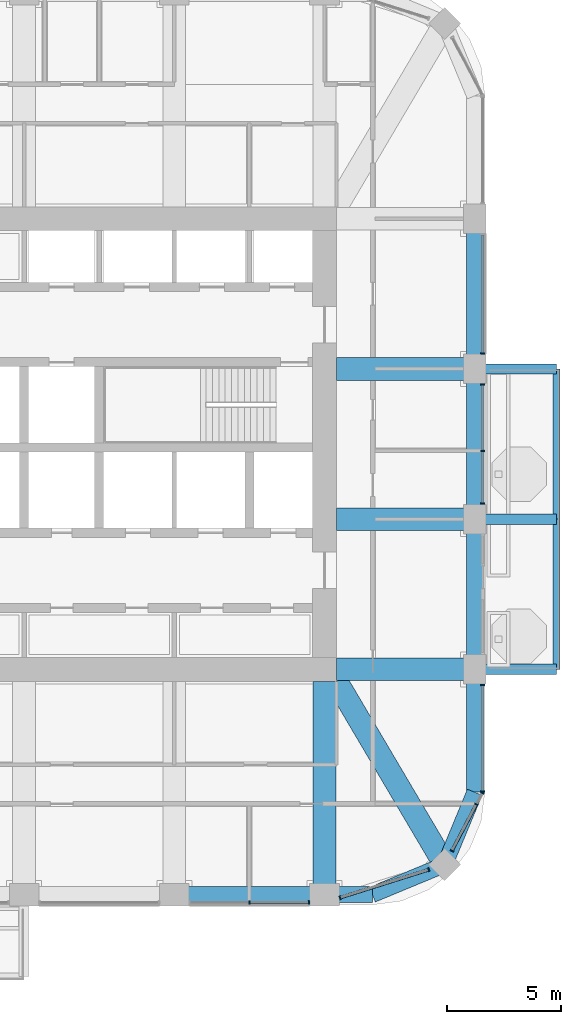
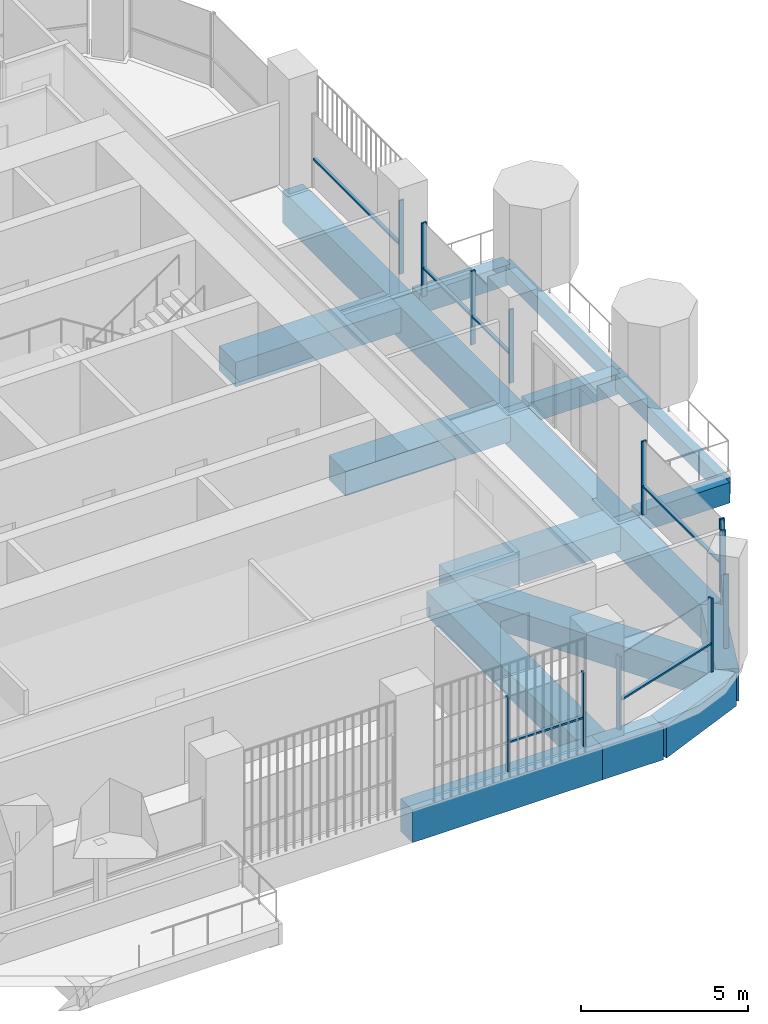
# One storey, part 5 of 20: 20 members, 18 beams, 6 elements without a shape of their own.
"""IFC4 building model written with IfcOpenShell, lengths in metres."""

from ifc_helpers import new_model, si_unit, direction, frame, origin, origin_2d, place, context, subcontext, project, spatial, rectangle, extrude, material, material_profile, profile_set, type_object, element, aggregate, save


model = new_model("IFC4")

# Units and contexts
model_context = context("Model", 3, precision=1e-05, world=origin(), true_north=direction((0.0, 1.0)))
body_context = subcontext(model_context, "Body", "Model", "MODEL_VIEW")
ifc_project = project(units=[si_unit("LENGTHUNIT", "METRE"), si_unit("AREAUNIT", "SQUARE_METRE"), si_unit("VOLUMEUNIT", "CUBIC_METRE"), si_unit("PLANEANGLEUNIT", "RADIAN"), si_unit("MASSUNIT", "GRAM", prefix="KILO")], contexts=[model_context])

# Site, building, storey
site_placement = place(None, origin())
site = spatial("IfcSite", under=ifc_project, at=site_placement, CompositionType="ELEMENT")
building_placement = place(site_placement, origin())
building = spatial("IfcBuilding", under=site, at=building_placement, Name="Cobogo Forest Laboratory Tower", CompositionType="ELEMENT")
storey_placement = place(building_placement, frame((0.0, 0.0, 246.0)))
storey = spatial("IfcBuildingStorey", under=building, at=storey_placement, Name="L56", CompositionType="ELEMENT", Elevation=246.0)

# Beams
ifc_material_1 = material(Name="Concrete HA-40 (C40/50)", Category="concrete")
ifc_material_profile_1 = material_profile(ifc_material_1, rectangle(XDim=0.449951171875, YDim=0.75, at=origin_2d()), Name="RC 450x750")
ifc_profile_set_1 = profile_set([ifc_material_profile_1], Name="Concrete HA-40 (C40/50)")
beam_type_1 = type_object("IfcBeamType", Name="Balcony cantilever beam 450x750", PredefinedType="BEAM", material=ifc_profile_set_1)
for number, where, z_axis, x_axis, name in (
    (1, (46.64990234375, 13.199951171875, -0.625), (1.0, 0.0, 0.0), (0.0, 1.0, 0.0), "CB1 BAL-E1-C1 L56"),
    (2, (46.64990234375, 19.800048828125, -0.625), (1.0, 0.0, 0.0), (0.0, 1.0, 0.0), "CB1 BAL-E1-C2 L56"),
    (3, (46.64990234375, 26.39990234375, -0.625), (1.0, 0.0, 0.0), (0.0, 1.0, 0.0), "CB1 BAL-E1-C3 L56"),
):
    element("IfcBeam", number, at=place(storey_placement, frame(where, z_axis=z_axis, x_axis=x_axis)), inside=storey, type_object=beam_type_1, Name=name, PredefinedType="BEAM", context=body_context, shape_type="SweptSolid", body=[
        extrude(rectangle(XDim=0.449951171875, YDim=0.75, at=origin_2d()), origin(), (0.0, 0.0, 1.0), 3.150146484375),
    ])
ifc_material_profile_2 = material_profile(ifc_material_1, rectangle(XDim=0.300048828125, YDim=0.60009765625, at=origin_2d()), Name="RC 300x600")
ifc_profile_set_2 = profile_set([ifc_material_profile_2], Name="Concrete HA-40 (C40/50)")
beam_type_2 = type_object("IfcBeamType", Name="Balcony edge beam 300x600", PredefinedType="BEAM", material=ifc_profile_set_2)
beam_1_placement = place(storey_placement, frame((49.800048828125, 13.199951171875, -0.550048828125), z_axis=(0.0, 1.0, 0.0), x_axis=(-1.0, 0.0, 0.0)))
element("IfcBeam", 4, at=beam_1_placement, inside=storey, type_object=beam_type_2, Name="BB1 BAL-E1-T1 L56", PredefinedType="BEAM", context=body_context, shape_type="SweptSolid", body=[
    extrude(rectangle(XDim=0.300048828125, YDim=0.60009765625, at=origin_2d()), origin(), (0.0, 0.0, 1.0), 6.60009765625),
])
beam_2_placement = place(storey_placement, frame((49.800048828125, 19.800048828125, -0.550048828125), z_axis=(0.0, 1.0, 0.0), x_axis=(-1.0, 0.0, 0.0)))
element("IfcBeam", 5, at=beam_2_placement, inside=storey, type_object=beam_type_2, Name="BB1 BAL-E1-T2 L56", PredefinedType="BEAM", context=body_context, shape_type="SweptSolid", body=[
    extrude(rectangle(XDim=0.300048828125, YDim=0.60009765625, at=origin_2d()), origin(), (0.0, 0.0, 1.0), 6.599853515625),
])

# Curtain wall, members
ifc_material_2 = material(Name="Aluminium curtain wall", Category="aluminium")
curtain_wall_type = type_object("IfcCurtainWallType", Name="CW-2 unitised curtain wall, solar control glazing, laboratory floors zones C and D", PredefinedType="USERDEFINED", material=ifc_material_2)
curtain_wall_1_placement = place(storey_placement, origin())
curtain_wall_1 = element("IfcCurtainWall", 6, at=curtain_wall_1_placement, inside=storey, type_object=curtain_wall_type, Name="Curtain wall 04 L56", ObjectType="UNITISED CURTAIN WALL", PredefinedType="USERDEFINED")
ifc_material_3 = material(Name="Aluminium mullion", Category="aluminium")
ifc_material_profile_3 = material_profile(ifc_material_3, rectangle(XDim=0.06005859375, YDim=0.159912109375, at=origin_2d()), Name="AL 60x160")
ifc_profile_set_3 = profile_set([ifc_material_profile_3], Name="Aluminium mullion")
member_type_1 = type_object("IfcMemberType", Name="MU-1 aluminium mullion 60x160", PredefinedType="MULLION", material=ifc_profile_set_3)
member_1_placement = place(storey_placement, frame((36.300048828125, 2.949951171875, 0.0), z_axis=(0.0, 0.0, 1.0), x_axis=(1.0, 0.0, 0.0)))
member_1 = element("IfcMember", 7, at=member_1_placement, type_object=member_type_1, Name="CW-2 mullion 2", PredefinedType="MULLION", context=body_context, shape_type="SweptSolid", body=[
    extrude(rectangle(XDim=0.06005859375, YDim=0.159912109375, at=origin_2d()), origin(), (0.0, 0.0, 1.0), 2.699951171875),
])
member_2_placement = place(storey_placement, frame((38.919921875, 2.949951171875, 0.0), z_axis=(0.0, 0.0, 1.0), x_axis=(1.0, 0.0, 0.0)))
member_2 = element("IfcMember", 8, at=member_2_placement, type_object=member_type_1, Name="CW-2 mullion 3", PredefinedType="MULLION", context=body_context, shape_type="SweptSolid", body=[
    extrude(rectangle(XDim=0.06005859375, YDim=0.159912109375, at=origin_2d()), origin(), (0.0, 0.0, 1.0), 2.699951171875),
])

curtain_wall_2_placement = place(storey_placement, origin())
curtain_wall_2 = element("IfcCurtainWall", 9, at=curtain_wall_2_placement, inside=storey, type_object=curtain_wall_type, Name="Curtain wall 05 L56", ObjectType="UNITISED CURTAIN WALL", PredefinedType="USERDEFINED")
member_3_placement = place(storey_placement, frame((40.278564453125, 3.164306640625, 0.0), z_axis=(0.0, 0.0, 1.0), x_axis=(0.953581386052, 0.301135418334, 0.0)))
member_3 = element("IfcMember", 10, at=member_3_placement, type_object=member_type_1, Name="CW-2 mullion 1", PredefinedType="MULLION", context=body_context, shape_type="SweptSolid", body=[
    extrude(rectangle(XDim=0.06005859375, YDim=0.159912109375, at=origin_2d()), origin(), (0.0, 0.0, 1.0), 2.699951171875),
])
member_4_placement = place(storey_placement, frame((44.17626953125, 4.395263671875, 0.0), z_axis=(0.0, 0.0, 1.0), x_axis=(0.953581386052, 0.301135418334, 0.0)))
member_4 = element("IfcMember", 11, at=member_4_placement, type_object=member_type_1, Name="CW-2 mullion 2", PredefinedType="MULLION", context=body_context, shape_type="SweptSolid", body=[
    extrude(rectangle(XDim=0.06005859375, YDim=0.159912109375, at=origin_2d()), origin(), (0.0, 0.0, 1.0), 2.699951171875),
])

curtain_wall_3_placement = place(storey_placement, origin())
curtain_wall_3 = element("IfcCurtainWall", 12, at=curtain_wall_3_placement, inside=storey, type_object=curtain_wall_type, Name="Curtain wall 06 L56", ObjectType="UNITISED CURTAIN WALL", PredefinedType="USERDEFINED")
member_5_placement = place(storey_placement, frame((45.202392578125, 5.229248046875, 0.0), z_axis=(0.0, 0.0, 1.0), x_axis=(0.464283791352, 0.885686491422, 0.0)))
member_5 = element("IfcMember", 13, at=member_5_placement, type_object=member_type_1, Name="CW-2 mullion 1", PredefinedType="MULLION", context=body_context, shape_type="SweptSolid", body=[
    extrude(rectangle(XDim=0.06005859375, YDim=0.159912109375, at=origin_2d()), origin(), (0.0, 0.0, 1.0), 2.699951171875),
])
member_6_placement = place(storey_placement, frame((46.268310546875, 7.262939453125, 0.0), z_axis=(0.0, 0.0, 1.0), x_axis=(0.464283791352, 0.885686491422, 0.0)))
member_6 = element("IfcMember", 14, at=member_6_placement, type_object=member_type_1, Name="CW-2 mullion 2", PredefinedType="MULLION", context=body_context, shape_type="SweptSolid", body=[
    extrude(rectangle(XDim=0.06005859375, YDim=0.159912109375, at=origin_2d()), origin(), (0.0, 0.0, 1.0), 2.699951171875),
])
member_7_placement = place(storey_placement, frame((46.5361328125, 7.7734375, 0.0), z_axis=(0.0, 0.0, 1.0), x_axis=(0.464283791352, 0.885686491422, 0.0)))
member_7 = element("IfcMember", 15, at=member_7_placement, type_object=member_type_1, Name="CW-2 mullion 3", PredefinedType="MULLION", context=body_context, shape_type="SweptSolid", body=[
    extrude(rectangle(XDim=0.06005859375, YDim=0.159912109375, at=origin_2d()), origin(), (0.0, 0.0, 1.0), 2.699951171875),
])

curtain_wall_4_placement = place(storey_placement, origin())
curtain_wall_4 = element("IfcCurtainWall", 16, at=curtain_wall_4_placement, inside=storey, type_object=curtain_wall_type, Name="Curtain wall 07 L56", ObjectType="UNITISED CURTAIN WALL", PredefinedType="USERDEFINED")
member_8_placement = place(storey_placement, frame((46.550048828125, 7.830078125, 0.0), z_axis=(0.0, 0.0, 1.0), x_axis=(0.0, 1.0, 0.0)))
member_8 = element("IfcMember", 17, at=member_8_placement, type_object=member_type_1, Name="CW-2 mullion 1", PredefinedType="MULLION", context=body_context, shape_type="SweptSolid", body=[
    extrude(rectangle(XDim=0.06005859375, YDim=0.159912109375, at=origin_2d()), origin(), (0.0, 0.0, 1.0), 2.699951171875),
])
member_9_placement = place(storey_placement, frame((46.550048828125, 12.52001953125, 0.0), z_axis=(0.0, 0.0, 1.0), x_axis=(0.0, 1.0, 0.0)))
member_9 = element("IfcMember", 18, at=member_9_placement, type_object=member_type_1, Name="CW-2 mullion 2", PredefinedType="MULLION", context=body_context, shape_type="SweptSolid", body=[
    extrude(rectangle(XDim=0.06005859375, YDim=0.159912109375, at=origin_2d()), origin(), (0.0, 0.0, 1.0), 2.699951171875),
])

curtain_wall_5_placement = place(storey_placement, origin())
curtain_wall_5 = element("IfcCurtainWall", 19, at=curtain_wall_5_placement, inside=storey, type_object=curtain_wall_type, Name="Curtain wall 09 L56", ObjectType="UNITISED CURTAIN WALL", PredefinedType="USERDEFINED")
member_10_placement = place(storey_placement, frame((46.550048828125, 20.47998046875, 0.0), z_axis=(0.0, 0.0, 1.0), x_axis=(0.0, 1.0, 0.0)))
member_10 = element("IfcMember", 20, at=member_10_placement, type_object=member_type_1, Name="CW-2 mullion 1", PredefinedType="MULLION", context=body_context, shape_type="SweptSolid", body=[
    extrude(rectangle(XDim=0.06005859375, YDim=0.159912109375, at=origin_2d()), origin(), (0.0, 0.0, 1.0), 2.699951171875),
])
member_11_placement = place(storey_placement, frame((46.550048828125, 22.800048828125, 0.0), z_axis=(0.0, 0.0, 1.0), x_axis=(0.0, 1.0, 0.0)))
member_11 = element("IfcMember", 21, at=member_11_placement, type_object=member_type_1, Name="CW-2 mullion 2", PredefinedType="MULLION", context=body_context, shape_type="SweptSolid", body=[
    extrude(rectangle(XDim=0.06005859375, YDim=0.159912109375, at=origin_2d()), origin(), (0.0, 0.0, 1.0), 2.699951171875),
])
member_12_placement = place(storey_placement, frame((46.550048828125, 25.719970703125, 0.0), z_axis=(0.0, 0.0, 1.0), x_axis=(0.0, 1.0, 0.0)))
member_12 = element("IfcMember", 22, at=member_12_placement, type_object=member_type_1, Name="CW-2 mullion 3", PredefinedType="MULLION", context=body_context, shape_type="SweptSolid", body=[
    extrude(rectangle(XDim=0.06005859375, YDim=0.159912109375, at=origin_2d()), origin(), (0.0, 0.0, 1.0), 2.699951171875),
])

# Curtain wall, member
curtain_wall_6_placement = place(storey_placement, origin())
curtain_wall_6 = element("IfcCurtainWall", 23, at=curtain_wall_6_placement, inside=storey, type_object=curtain_wall_type, Name="Curtain wall 10 L56", ObjectType="UNITISED CURTAIN WALL", PredefinedType="USERDEFINED")
member_13_placement = place(storey_placement, frame((46.550048828125, 27.080078125, 0.0), z_axis=(0.0, 0.0, 1.0), x_axis=(0.0, 1.0, 0.0)))
member_13 = element("IfcMember", 24, at=member_13_placement, type_object=member_type_1, Name="CW-2 mullion 1", PredefinedType="MULLION", context=body_context, shape_type="SweptSolid", body=[
    extrude(rectangle(XDim=0.06005859375, YDim=0.159912109375, at=origin_2d()), origin(), (0.0, 0.0, 1.0), 2.699951171875),
])

# Beams
ifc_material_profile_4 = material_profile(ifc_material_1, rectangle(XDim=1.0, YDim=0.89990234375, at=origin_2d()), Name="RC 1000x900")
ifc_profile_set_4 = profile_set([ifc_material_profile_4], Name="Concrete HA-40 (C40/50)")
beam_type_3 = type_object("IfcBeamType", Name="Office floor wide beam 1000x900", PredefinedType="BEAM", material=ifc_profile_set_4)
beam_3_placement = place(storey_placement, frame((39.60009765625, 12.675048828125, -0.75), z_axis=(0.0, -1.0, 0.0), x_axis=(1.0, 0.0, 0.0)))
element("IfcBeam", 25, at=beam_3_placement, inside=storey, type_object=beam_type_3, Name="RB2 R-7-S L56", PredefinedType="BEAM", context=body_context, shape_type="SweptSolid", body=[
    extrude(rectangle(XDim=1.0, YDim=0.89990234375, at=origin_2d()), origin(), (0.0, 0.0, 1.0), 9.375),
])
for number, where, z_axis, x_axis, name in (
    (26, (40.125, 13.199951171875, -0.75), (1.0, 0.0, 0.0), (0.0, 1.0, 0.0), "RB2 R-C-E L56"),
    (27, (40.125, 19.800048828125, -0.75), (1.0, 0.0, 0.0), (0.0, 1.0, 0.0), "RB2 R-D-E L56"),
    (28, (40.125, 26.39990234375, -0.75), (1.0, 0.0, 0.0), (0.0, 1.0, 0.0), "RB2 R-E-E L56"),
):
    element("IfcBeam", number, at=place(storey_placement, frame(where, z_axis=z_axis, x_axis=x_axis)), inside=storey, type_object=beam_type_3, Name=name, PredefinedType="BEAM", context=body_context, shape_type="SweptSolid", body=[
        extrude(rectangle(XDim=1.0, YDim=0.89990234375, at=origin_2d()), origin(), (0.0, 0.0, 1.0), 6.074951171875),
    ])
beam_4_placement = place(storey_placement, frame((44.882080078125, 4.617919921875, -0.75), z_axis=(-0.508416325908, 0.861111397875, 0.0), x_axis=(-0.861111397875, -0.508416325908, 0.0)))
element("IfcBeam", 29, at=beam_4_placement, inside=storey, type_object=beam_type_3, Name="RB2 G-SE-D1 L56", PredefinedType="BEAM", context=body_context, shape_type="SweptSolid", body=[
    extrude(rectangle(XDim=1.0, YDim=0.89990234375, at=origin_2d()), origin(), (0.0, 0.0, 1.0), 9.356689453125),
])
ifc_material_profile_5 = material_profile(ifc_material_1, rectangle(XDim=0.699951171875, YDim=1.199951171875, at=origin_2d()), Name="RC 700x1200")
ifc_profile_set_5 = profile_set([ifc_material_profile_5], Name="Concrete HA-40 (C40/50)")
beam_type_4 = type_object("IfcBeamType", Name="Perimeter edge beam 700x1200", PredefinedType="BEAM", material=ifc_profile_set_5)
for number, where, z_axis, x_axis, name in (
    (30, (33.0, 3.300048828125, -0.89990234375), (1.0, 0.0, 0.0), (0.0, 1.0, 0.0), "EB1 E-S4 L56"),
    (31, (46.199951171875, 13.199951171875, -0.89990234375), (0.0, 1.0, 0.0), (-1.0, 0.0, 0.0), "EB1 E-E1 L56"),
):
    element("IfcBeam", number, at=place(storey_placement, frame(where, z_axis=z_axis, x_axis=x_axis)), inside=storey, type_object=beam_type_4, Name=name, PredefinedType="BEAM", context=body_context, shape_type="SweptSolid", body=[
        extrude(rectangle(XDim=0.699951171875, YDim=1.199951171875, at=origin_2d()), origin(), (0.0, 0.0, 1.0), 6.60009765625),
    ])
beam_5_placement = place(storey_placement, frame((46.199951171875, 19.800048828125, -0.89990234375), z_axis=(0.0, 1.0, 0.0), x_axis=(-1.0, 0.0, 0.0)))
element("IfcBeam", 32, at=beam_5_placement, inside=storey, type_object=beam_type_4, Name="EB1 E-E2 L56", PredefinedType="BEAM", context=body_context, shape_type="SweptSolid", body=[
    extrude(rectangle(XDim=0.699951171875, YDim=1.199951171875, at=origin_2d()), origin(), (0.0, 0.0, 1.0), 6.599853515625),
])
beam_6_placement = place(storey_placement, frame((46.199951171875, 26.39990234375, -0.89990234375), z_axis=(0.0, 1.0, 0.0), x_axis=(-1.0, 0.0, 0.0)))
element("IfcBeam", 33, at=beam_6_placement, inside=storey, type_object=beam_type_4, Name="EB1 E-E3 L56", PredefinedType="BEAM", context=body_context, shape_type="SweptSolid", body=[
    extrude(rectangle(XDim=0.699951171875, YDim=1.199951171875, at=origin_2d()), origin(), (0.0, 0.0, 1.0), 6.60009765625),
])
beam_7_placement = place(storey_placement, frame((39.60009765625, 3.300048828125, -0.89990234375), z_axis=(1.0, 0.0, 0.0), x_axis=(0.0, 1.0, 0.0)))
element("IfcBeam", 34, at=beam_7_placement, inside=storey, type_object=beam_type_4, Name="EB1 E-SES1 L56", PredefinedType="BEAM", context=body_context, shape_type="SweptSolid", body=[
    extrude(rectangle(XDim=0.699951171875, YDim=1.199951171875, at=origin_2d()), origin(), (0.0, 0.0, 1.0), 2.099853515625),
])
beam_8_placement = place(storey_placement, frame((41.699951171875, 3.300048828125, -0.89990234375), z_axis=(0.923901072997, 0.382631424892, 0.0), x_axis=(-0.382631424892, 0.923901072997, 0.0)))
element("IfcBeam", 35, at=beam_8_placement, inside=storey, type_object=beam_type_4, Name="EB1 E-SES2 L56", PredefinedType="BEAM", context=body_context, shape_type="SweptSolid", body=[
    extrude(rectangle(XDim=0.699951171875, YDim=1.199951171875, at=origin_2d()), origin(), (0.0, 0.0, 1.0), 3.4443359375),
])
beam_9_placement = place(storey_placement, frame((46.199951171875, 13.199951171875, -0.89990234375), z_axis=(0.0, -1.0, 0.0), x_axis=(1.0, 0.0, 0.0)))
element("IfcBeam", 36, at=beam_9_placement, inside=storey, type_object=beam_type_4, Name="EB1 E-SEE1 L56", PredefinedType="BEAM", context=body_context, shape_type="SweptSolid", body=[
    extrude(rectangle(XDim=0.699951171875, YDim=1.199951171875, at=origin_2d()), origin(), (0.0, 0.0, 1.0), 5.39990234375),
])
beam_10_placement = place(storey_placement, frame((46.199951171875, 7.800048828125, -0.89990234375), z_axis=(-0.382631424892, -0.923901072997, 0.0), x_axis=(0.923901072997, -0.382631424892, 0.0)))
element("IfcBeam", 37, at=beam_10_placement, inside=storey, type_object=beam_type_4, Name="EB1 E-SEE2 L56", PredefinedType="BEAM", context=body_context, shape_type="SweptSolid", body=[
    extrude(rectangle(XDim=0.699951171875, YDim=1.199951171875, at=origin_2d()), origin(), (0.0, 0.0, 1.0), 3.4443359375),
])

# Member
ifc_material_4 = material(Name="Aluminium transom", Category="aluminium")
ifc_material_profile_6 = material_profile(ifc_material_4, rectangle(XDim=0.1201171875, YDim=0.06005859375, at=origin_2d()), Name="AL 60x120")
ifc_profile_set_6 = profile_set([ifc_material_profile_6], Name="Aluminium transom")
member_type_2 = type_object("IfcMemberType", Name="TR-1 aluminium transom 60x120", PredefinedType="USERDEFINED", material=ifc_profile_set_6)
member_14_placement = place(storey_placement, frame((36.330078125, 2.949951171875, 1.050048828125), z_axis=(1.0, 0.0, 0.0), x_axis=(0.0, 1.0, 0.0)))
member_14 = element("IfcMember", 38, at=member_14_placement, type_object=member_type_2, Name="CW-2 transom 2.1", ObjectType="TRANSOM", PredefinedType="USERDEFINED", context=body_context, shape_type="SweptSolid", body=[
    extrude(rectangle(XDim=0.1201171875, YDim=0.06005859375, at=origin_2d()), origin(), (0.0, 0.0, 1.0), 2.559814453125),
])

aggregate(curtain_wall_1, [member_1, member_2, member_14])

member_15_placement = place(storey_placement, frame((40.30712890625, 3.17333984375, 1.050048828125), z_axis=(0.953577168155, 0.301148774483, 0.0), x_axis=(-0.301148774483, 0.953577168155, 0.0)))
member_15 = element("IfcMember", 39, at=member_15_placement, type_object=member_type_2, Name="CW-2 transom 1.1", ObjectType="TRANSOM", PredefinedType="USERDEFINED", context=body_context, shape_type="SweptSolid", body=[
    extrude(rectangle(XDim=0.1201171875, YDim=0.06005859375, at=origin_2d()), origin(), (0.0, 0.0, 1.0), 4.027587890625),
])

aggregate(curtain_wall_2, [member_3, member_4, member_15])

member_16_placement = place(storey_placement, frame((45.21630859375, 5.255615234375, 1.050048828125), z_axis=(0.464206875758, 0.885726806921, 0.0), x_axis=(-0.885726806921, 0.464206875758, 0.0)))
member_16 = element("IfcMember", 40, at=member_16_placement, type_object=member_type_2, Name="CW-2 transom 1.1", ObjectType="TRANSOM", PredefinedType="USERDEFINED", context=body_context, shape_type="SweptSolid", body=[
    extrude(rectangle(XDim=0.1201171875, YDim=0.06005859375, at=origin_2d()), origin(), (0.0, 0.0, 1.0), 2.236328125),
])

aggregate(curtain_wall_3, [member_5, member_6, member_7, member_16])

member_17_placement = place(storey_placement, frame((46.550048828125, 7.860107421875, 1.050048828125), z_axis=(0.0, 1.0, 0.0), x_axis=(-1.0, 0.0, 0.0)))
member_17 = element("IfcMember", 41, at=member_17_placement, type_object=member_type_2, Name="CW-2 transom 1.1", ObjectType="TRANSOM", PredefinedType="USERDEFINED", context=body_context, shape_type="SweptSolid", body=[
    extrude(rectangle(XDim=0.1201171875, YDim=0.06005859375, at=origin_2d()), origin(), (0.0, 0.0, 1.0), 4.6298828125),
])

aggregate(curtain_wall_4, [member_8, member_9, member_17])

member_18_placement = place(storey_placement, frame((46.550048828125, 20.510009765625, 1.050048828125), z_axis=(0.0, 1.0, 0.0), x_axis=(-1.0, 0.0, 0.0)))
member_18 = element("IfcMember", 42, at=member_18_placement, type_object=member_type_2, Name="CW-2 transom 1.1", ObjectType="TRANSOM", PredefinedType="USERDEFINED", context=body_context, shape_type="SweptSolid", body=[
    extrude(rectangle(XDim=0.1201171875, YDim=0.06005859375, at=origin_2d()), origin(), (0.0, 0.0, 1.0), 2.260009765625),
])

member_19_placement = place(storey_placement, frame((46.550048828125, 22.830078125, 1.050048828125), z_axis=(0.0, 1.0, 0.0), x_axis=(-1.0, 0.0, 0.0)))
member_19 = element("IfcMember", 43, at=member_19_placement, type_object=member_type_2, Name="CW-2 transom 2.1", ObjectType="TRANSOM", PredefinedType="USERDEFINED", context=body_context, shape_type="SweptSolid", body=[
    extrude(rectangle(XDim=0.1201171875, YDim=0.06005859375, at=origin_2d()), origin(), (0.0, 0.0, 1.0), 2.85986328125),
])

aggregate(curtain_wall_5, [member_10, member_11, member_12, member_18, member_19])

member_20_placement = place(storey_placement, frame((46.550048828125, 27.110107421875, 1.050048828125), z_axis=(0.0, 1.0, 0.0), x_axis=(-1.0, 0.0, 0.0)))
member_20 = element("IfcMember", 44, at=member_20_placement, type_object=member_type_2, Name="CW-2 transom 1.1", ObjectType="TRANSOM", PredefinedType="USERDEFINED", context=body_context, shape_type="SweptSolid", body=[
    extrude(rectangle(XDim=0.1201171875, YDim=0.06005859375, at=origin_2d()), origin(), (0.0, 0.0, 1.0), 5.179931640625),
])

aggregate(curtain_wall_6, [member_13, member_20])

save(model, "model.ifc")
